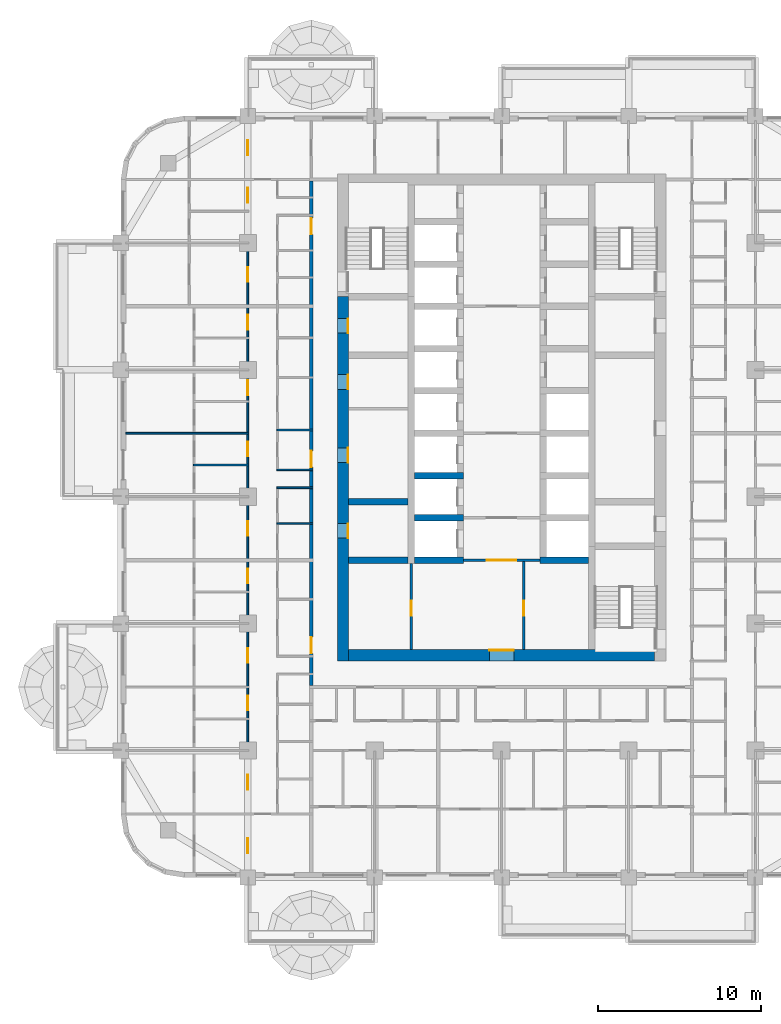
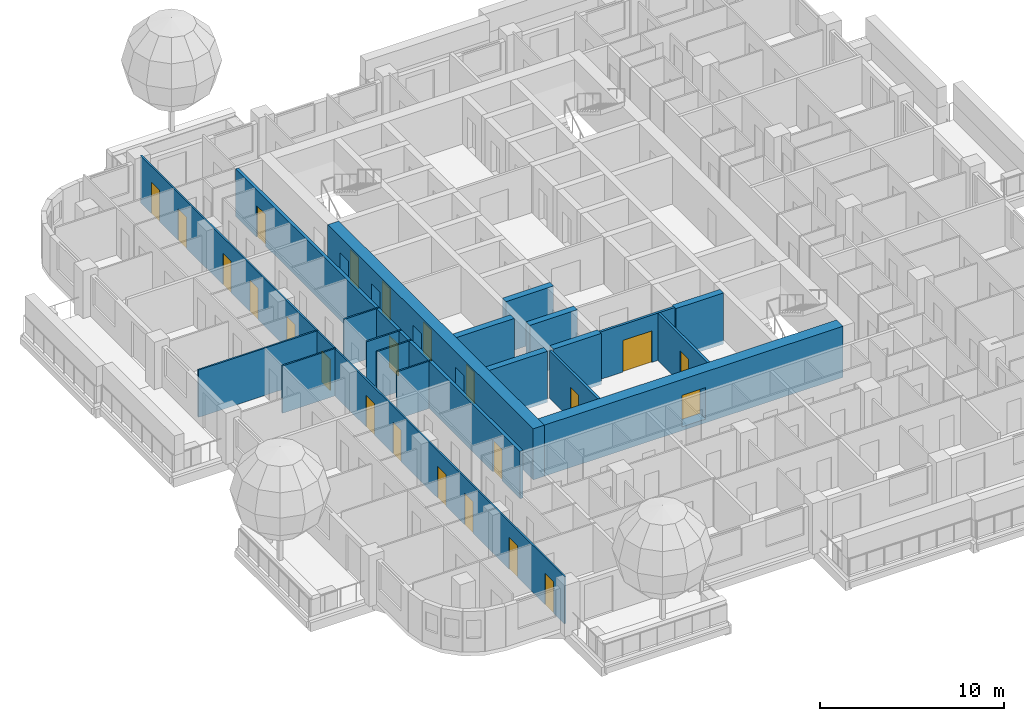
# One storey, part 6 of 19: 23 doors, 19 walls, 23 openings.
"""IFC4 building model written with IfcOpenShell, lengths in metres."""

from ifc_helpers import new_model, si_unit, direction, frame, frame_2d, origin, place, context, subcontext, project, spatial, rectangle, extrude, material, layer, layer_set, type_object, element, fill, save


model = new_model("IFC4")

# Units and contexts
model_context = context("Model", 3, precision=1e-05, world=origin(), true_north=direction((0.0, 1.0)))
body_context = subcontext(model_context, "Body", "Model", "MODEL_VIEW")
ifc_project = project(units=[si_unit("LENGTHUNIT", "METRE"), si_unit("AREAUNIT", "SQUARE_METRE"), si_unit("VOLUMEUNIT", "CUBIC_METRE"), si_unit("PLANEANGLEUNIT", "RADIAN"), si_unit("MASSUNIT", "GRAM", prefix="KILO")], contexts=[model_context])

# Site, building, storey
site_placement = place(None, origin())
site = spatial("IfcSite", under=ifc_project, at=site_placement, CompositionType="ELEMENT")
building_placement = place(site_placement, origin())
building = spatial("IfcBuilding", under=site, at=building_placement, Name="Ludao Terraces", CompositionType="ELEMENT")
storey_placement = place(building_placement, frame((0.0, 0.0, 81.800048828125)))
storey = spatial("IfcBuildingStorey", under=building, at=storey_placement, Name="L22", CompositionType="ELEMENT", Elevation=81.800048828125)

# Wall, openings, doors
ifc_material_1 = material(Name="Concrete C70", Category="concrete")
ifc_layer_1 = layer(ifc_material_1, 0.699951171875)
ifc_layer_set_1 = layer_set([ifc_layer_1], Name="Core wall 700 C70")
wall_type_1 = type_object("IfcWallType", Name="Core wall 700 C70", PredefinedType="SOLIDWALL", material=ifc_layer_set_1)
wall_1_placement = place(storey_placement, frame((75.25, 54.89990234375, -0.25), z_axis=(0.0, 0.0, 1.0), x_axis=(0.0, 1.0, 0.0)))
wall_1 = element("IfcWall", 1, at=wall_1_placement, inside=storey, type_object=wall_type_1, Name="Core wall L22 outer-W", PredefinedType="SOLIDWALL", context=body_context, shape_type="SweptSolid", body=[
    extrude(rectangle(XDim=22.400146484375, YDim=0.699951171875, at=frame_2d((11.2001953125, 0.0))), origin(), (0.0, 0.0, 1.0), 3.39990234375),
])
opening_1_placement = place(wall_1_placement, frame((7.550048828125, 0.0, 0.25)))
opening_1 = element("IfcOpeningElement", 2, at=opening_1_placement, cuts=wall_1, Name="Opening R06-076", PredefinedType="OPENING", context=body_context, shape_type="SweptSolid", body=[
    extrude(rectangle(XDim=0.89990234375, YDim=2.10009765625, at=frame_2d((0.449951171875, 1.050048828125))), frame((0.0, 0.35986328125, 0.0), z_axis=(0.0, -1.0, 0.0), x_axis=(1.0, 0.0, 0.0)), (0.0, 0.0, 1.0), 0.719970703125),
])
opening_2_placement = place(wall_1_placement, frame((12.199951171875, 0.0, 0.25)))
opening_2 = element("IfcOpeningElement", 3, at=opening_2_placement, cuts=wall_1, Name="Opening R06-091", PredefinedType="OPENING", context=body_context, shape_type="SweptSolid", body=[
    extrude(rectangle(XDim=0.89990234375, YDim=2.10009765625, at=frame_2d((0.449951171875, 1.050048828125))), frame((0.0, 0.35986328125, 0.0), z_axis=(0.0, -1.0, 0.0), x_axis=(1.0, 0.0, 0.0)), (0.0, 0.0, 1.0), 0.719970703125),
])
opening_3_placement = place(wall_1_placement, frame((16.699951171875, 0.0, 0.25)))
opening_3 = element("IfcOpeningElement", 4, at=opening_3_placement, cuts=wall_1, Name="Opening R06-109", PredefinedType="OPENING", context=body_context, shape_type="SweptSolid", body=[
    extrude(rectangle(XDim=0.89990234375, YDim=2.10009765625, at=frame_2d((0.449951171875, 1.050048828125))), frame((0.0, 0.35986328125, 0.0), z_axis=(0.0, -1.0, 0.0), x_axis=(1.0, 0.0, 0.0)), (0.0, 0.0, 1.0), 0.719970703125),
])
opening_4_placement = place(wall_1_placement, frame((20.14990234375, 0.0, 0.25)))
opening_4 = element("IfcOpeningElement", 5, at=opening_4_placement, cuts=wall_1, Name="Opening R06-121", PredefinedType="OPENING", context=body_context, shape_type="SweptSolid", body=[
    extrude(rectangle(XDim=0.89990234375, YDim=2.10009765625, at=frame_2d((0.449951171875, 1.050048828125))), frame((0.0, 0.35986328125, 0.0), z_axis=(0.0, -1.0, 0.0), x_axis=(1.0, 0.0, 0.0)), (0.0, 0.0, 1.0), 0.719970703125),
])
ifc_material_2 = material(Name="Steel Q235", Category="steel")
door_type_1 = type_object("IfcDoorType", Name="INT Riser door 900", OperationType="SINGLE_SWING_LEFT", PredefinedType="DOOR", material=ifc_material_2)
door_1_placement = place(opening_1_placement, origin())
door_1 = element("IfcDoor", 6, at=door_1_placement, inside=storey, type_object=door_type_1, Name="DOOR 076", OperationType="SINGLE_SWING_RIGHT", OverallHeight=2.10009765625, OverallWidth=0.89990234375, PredefinedType="DOOR", context=body_context, shape_type="SweptSolid", body=[
    extrude(rectangle(XDim=0.89990234375, YDim=2.10009765625, at=frame_2d((0.449951171875, 1.050048828125))), frame((0.0, -0.28515625, 0.0), z_axis=(0.0, -1.0, 0.0), x_axis=(1.0, 0.0, 0.0)), (0.0, 0.0, 1.0), 0.050048828125),
])
fill(opening_1, door_1)
door_2_placement = place(opening_4_placement, origin())
door_2 = element("IfcDoor", 7, at=door_2_placement, inside=storey, type_object=door_type_1, Name="DOOR 121", OperationType="SINGLE_SWING_RIGHT", OverallHeight=2.10009765625, OverallWidth=0.89990234375, PredefinedType="DOOR", context=body_context, shape_type="SweptSolid", body=[
    extrude(rectangle(XDim=0.89990234375, YDim=2.10009765625, at=frame_2d((0.449951171875, 1.050048828125))), frame((0.0, -0.28515625, 0.0), z_axis=(0.0, -1.0, 0.0), x_axis=(1.0, 0.0, 0.0)), (0.0, 0.0, 1.0), 0.050048828125),
])
fill(opening_4, door_2)
ifc_material_3 = material(Name="Timber door leaf", Category="wood")
door_type_2 = type_object("IfcDoorType", Name="INT Room door 900", OperationType="SINGLE_SWING_LEFT", PredefinedType="DOOR", material=ifc_material_3)
door_3_placement = place(opening_2_placement, origin())
door_3 = element("IfcDoor", 8, at=door_3_placement, inside=storey, type_object=door_type_2, Name="DOOR 091", OperationType="SINGLE_SWING_RIGHT", OverallHeight=2.10009765625, OverallWidth=0.89990234375, PredefinedType="DOOR", context=body_context, shape_type="SweptSolid", body=[
    extrude(rectangle(XDim=0.89990234375, YDim=2.10009765625, at=frame_2d((0.449951171875, 1.050048828125))), frame((0.0, -0.28515625, 0.0), z_axis=(0.0, -1.0, 0.0), x_axis=(1.0, 0.0, 0.0)), (0.0, 0.0, 1.0), 0.050048828125),
])
fill(opening_2, door_3)
door_4_placement = place(opening_3_placement, origin())
door_4 = element("IfcDoor", 9, at=door_4_placement, inside=storey, type_object=door_type_2, Name="DOOR 109", OperationType="SINGLE_SWING_LEFT", OverallHeight=2.10009765625, OverallWidth=0.89990234375, PredefinedType="DOOR", context=body_context, shape_type="SweptSolid", body=[
    extrude(rectangle(XDim=0.89990234375, YDim=2.10009765625, at=frame_2d((0.449951171875, 1.050048828125))), frame((0.0, -0.28515625, 0.0), z_axis=(0.0, -1.0, 0.0), x_axis=(1.0, 0.0, 0.0)), (0.0, 0.0, 1.0), 0.050048828125),
])
fill(opening_3, door_4)

# Wall, opening, door
wall_2_placement = place(storey_placement, frame((75.60009765625, 55.25, -0.25), z_axis=(0.0, 0.0, 1.0), x_axis=(1.0, 0.0, 0.0)))
wall_2 = element("IfcWall", 10, at=wall_2_placement, inside=storey, type_object=wall_type_1, Name="Core wall L22 outer-S", PredefinedType="SOLIDWALL", context=body_context, shape_type="SweptSolid", body=[
    extrude(rectangle(XDim=18.7998046875, YDim=0.699951171875, at=frame_2d((9.39990234375, 0.0))), origin(), (0.0, 0.0, 1.0), 3.39990234375),
])
opening_5_placement = place(wall_2_placement, frame((8.64990234375, 0.0, 0.25)))
opening_5 = element("IfcOpeningElement", 11, at=opening_5_placement, cuts=wall_2, Name="Opening R06-053", PredefinedType="OPENING", context=body_context, shape_type="SweptSolid", body=[
    extrude(rectangle(XDim=1.5, YDim=2.10009765625, at=frame_2d((0.75, 1.050048828125))), frame((0.0, 0.35986328125, 0.0), z_axis=(0.0, -1.0, 0.0), x_axis=(1.0, 0.0, 0.0)), (0.0, 0.0, 1.0), 0.719970703125),
])
door_type_3 = type_object("IfcDoorType", Name="INT Lobby door 1500", OperationType="DOUBLE_DOOR_SINGLE_SWING", PredefinedType="DOOR", material=ifc_material_2)
door_5_placement = place(opening_5_placement, origin())
door_5 = element("IfcDoor", 12, at=door_5_placement, inside=storey, type_object=door_type_3, Name="DOOR 053", OperationType="DOUBLE_DOOR_SINGLE_SWING", OverallHeight=2.10009765625, OverallWidth=1.5, PredefinedType="DOOR", context=body_context, shape_type="SweptSolid", body=[
    extrude(rectangle(XDim=1.5, YDim=2.10009765625, at=frame_2d((0.75, 1.050048828125))), frame((0.0, 0.3349609375, 0.0), z_axis=(0.0, -1.0, 0.0), x_axis=(1.0, 0.0, 0.0)), (0.0, 0.0, 1.0), 0.050048828125),
])
fill(opening_5, door_5)

ifc_material_4 = material(Name="Fire-rated gypsum plasterboard", Category="gypsum")
ifc_layer_2 = layer(ifc_material_4, 0.012451171875, Category="gypsum")
ifc_material_5 = material(Name="Mineral wool")
ifc_layer_3 = layer(ifc_material_5, 0.10009765625, Name="insulation")
ifc_layer_4 = layer(ifc_material_2, 0.02490234375, Name="stud")
ifc_layer_5 = layer(ifc_material_4, 0.012451171875, Category="gypsum")
ifc_layer_set_2 = layer_set([ifc_layer_2, ifc_layer_3, ifc_layer_4, ifc_layer_5], Name="INT Core partition 150")
wall_type_2 = type_object("IfcWallType", Name="INT Core partition 150", PredefinedType="PARTITIONING", material=ifc_layer_set_2)
wall_3_placement = place(storey_placement, frame((82.650146484375, 61.10009765625, 0.0), z_axis=(0.0, 0.0, 1.0), x_axis=(1.0, 0.0, 0.0)))
wall_3 = element("IfcWall", 13, at=wall_3_placement, inside=storey, type_object=wall_type_2, Name="PW-L22-PW034", PredefinedType="PARTITIONING", context=body_context, shape_type="SweptSolid", body=[
    extrude(rectangle(XDim=4.699951171875, YDim=0.14990234375, at=frame_2d((2.35009765625, 0.0))), origin(), (0.0, 0.0, 1.0), 3.14990234375),
])
opening_6_placement = place(wall_3_placement, frame((1.449951171875, 0.0, 0.0)))
opening_6 = element("IfcOpeningElement", 14, at=opening_6_placement, cuts=wall_3, Name="Opening R06-072", PredefinedType="OPENING", context=body_context, shape_type="SweptSolid", body=[
    extrude(rectangle(XDim=1.800048828125, YDim=2.10009765625, at=frame_2d((0.89990234375, 1.050048828125))), frame((0.0, 0.0849609375, 0.0), z_axis=(0.0, -1.0, 0.0), x_axis=(1.0, 0.0, 0.0)), (0.0, 0.0, 1.0), 0.169921875),
])
door_type_4 = type_object("IfcDoorType", Name="INT Fire lobby door 1800", OperationType="DOUBLE_DOOR_SINGLE_SWING", PredefinedType="DOOR", material=ifc_material_2)
door_6_placement = place(opening_6_placement, origin())
door_6 = element("IfcDoor", 15, at=door_6_placement, inside=storey, type_object=door_type_4, Name="DOOR 072", OperationType="DOUBLE_DOOR_SINGLE_SWING", OverallHeight=2.10009765625, OverallWidth=1.800048828125, PredefinedType="DOOR", context=body_context, shape_type="SweptSolid", body=[
    extrude(rectangle(XDim=1.800048828125, YDim=2.10009765625, at=frame_2d((0.89990234375, 1.050048828125))), frame((0.0, 0.02490234375, 0.0), z_axis=(0.0, -1.0, 0.0), x_axis=(1.0, 0.0, 0.0)), (0.0, 0.0, 1.0), 0.050048828125),
])
fill(opening_6, door_6)

wall_4_placement = place(storey_placement, frame((79.449951171875, 55.60009765625, 0.0), z_axis=(0.0, 0.0, 1.0), x_axis=(0.0, 1.0, 0.0)))
wall_4 = element("IfcWall", 16, at=wall_4_placement, inside=storey, type_object=wall_type_2, Name="PW-L22-PW097", PredefinedType="PARTITIONING", context=body_context, shape_type="SweptSolid", body=[
    extrude(rectangle(XDim=5.300048828125, YDim=0.14990234375, at=frame_2d((2.64990234375, 0.0))), origin(), (0.0, 0.0, 1.0), 3.14990234375),
])
opening_7_placement = place(wall_4_placement, frame((2.10009765625, 0.0, 0.0)))
opening_7 = element("IfcOpeningElement", 17, at=opening_7_placement, cuts=wall_4, Name="Opening R06-061", PredefinedType="OPENING", context=body_context, shape_type="SweptSolid", body=[
    extrude(rectangle(XDim=0.89990234375, YDim=2.10009765625, at=frame_2d((0.449951171875, 1.050048828125))), frame((0.0, 0.0849609375, 0.0), z_axis=(0.0, -1.0, 0.0), x_axis=(1.0, 0.0, 0.0)), (0.0, 0.0, 1.0), 0.169921875),
])
door_7_placement = place(opening_7_placement, origin())
door_7 = element("IfcDoor", 18, at=door_7_placement, inside=storey, type_object=door_type_2, Name="DOOR 061", OperationType="SINGLE_SWING_LEFT", OverallHeight=2.10009765625, OverallWidth=0.89990234375, PredefinedType="DOOR", context=body_context, shape_type="SweptSolid", body=[
    extrude(rectangle(XDim=0.89990234375, YDim=2.10009765625, at=frame_2d((0.449951171875, 1.050048828125))), frame((0.0, 0.02490234375, 0.0), z_axis=(0.0, -1.0, 0.0), x_axis=(1.0, 0.0, 0.0)), (0.0, 0.0, 1.0), 0.050048828125),
])
fill(opening_7, door_7)

wall_5_placement = place(storey_placement, frame((86.35009765625, 55.60009765625, 0.0), z_axis=(0.0, 0.0, 1.0), x_axis=(0.0, 1.0, 0.0)))
wall_5 = element("IfcWall", 19, at=wall_5_placement, inside=storey, type_object=wall_type_2, Name="PW-L22-PW104", PredefinedType="PARTITIONING", context=body_context, shape_type="SweptSolid", body=[
    extrude(rectangle(XDim=5.425048828125, YDim=0.14990234375, at=frame_2d((2.71240234375, 0.0))), origin(), (0.0, 0.0, 1.0), 3.14990234375),
])
opening_8_placement = place(wall_5_placement, frame((2.10009765625, 0.0, 0.0)))
opening_8 = element("IfcOpeningElement", 20, at=opening_8_placement, cuts=wall_5, Name="Opening R06-062", PredefinedType="OPENING", context=body_context, shape_type="SweptSolid", body=[
    extrude(rectangle(XDim=0.89990234375, YDim=2.10009765625, at=frame_2d((0.449951171875, 1.050048828125))), frame((0.0, 0.0849609375, 0.0), z_axis=(0.0, -1.0, 0.0), x_axis=(1.0, 0.0, 0.0)), (0.0, 0.0, 1.0), 0.169921875),
])
door_8_placement = place(opening_8_placement, origin())
door_8 = element("IfcDoor", 21, at=door_8_placement, inside=storey, type_object=door_type_2, Name="DOOR 062", OperationType="SINGLE_SWING_RIGHT", OverallHeight=2.10009765625, OverallWidth=0.89990234375, PredefinedType="DOOR", context=body_context, shape_type="SweptSolid", body=[
    extrude(rectangle(XDim=0.89990234375, YDim=2.10009765625, at=frame_2d((0.449951171875, 1.050048828125))), frame((0.0, 0.02490234375, 0.0), z_axis=(0.0, -1.0, 0.0), x_axis=(1.0, 0.0, 0.0)), (0.0, 0.0, 1.0), 0.050048828125),
])
fill(opening_8, door_8)

# Wall, openings, doors
ifc_material_6 = material(Name="Autoclaved aerated concrete block B06 A3.5", Category="concrete")
ifc_layer_6 = layer(ifc_material_6, 0.199951171875)
ifc_layer_set_3 = layer_set([ifc_layer_6], Name="INT Entrance wall 200")
wall_type_3 = type_object("IfcWallType", Name="INT Entrance wall 200", PredefinedType="PARTITIONING", material=ifc_layer_set_3)
wall_6_placement = place(storey_placement, frame((73.300048828125, 53.400146484375, 0.0), z_axis=(0.0, 0.0, 1.0), x_axis=(0.0, 1.0, 0.0)))
wall_6 = element("IfcWall", 22, at=wall_6_placement, inside=storey, type_object=wall_type_3, Name="PW-L22-PW089", PredefinedType="PARTITIONING", context=body_context, shape_type="SweptSolid", body=[
    extrude(rectangle(XDim=31.0, YDim=0.199951171875, at=frame_2d((15.5, 0.0))), origin(), (0.0, 0.0, 1.0), 3.14990234375),
])
opening_9_placement = place(wall_6_placement, frame((1.97509765625, 0.0, 0.0)))
opening_9 = element("IfcOpeningElement", 23, at=opening_9_placement, cuts=wall_6, Name="Opening R06-057", PredefinedType="OPENING", context=body_context, shape_type="SweptSolid", body=[
    extrude(rectangle(XDim=1.0, YDim=2.10009765625, at=frame_2d((0.5, 1.050048828125))), frame((0.0, 0.10986328125, 0.0), z_axis=(0.0, -1.0, 0.0), x_axis=(1.0, 0.0, 0.0)), (0.0, 0.0, 1.0), 0.219970703125),
])
opening_10_placement = place(wall_6_placement, frame((13.425048828125, 0.0, 0.0)))
opening_10 = element("IfcOpeningElement", 24, at=opening_10_placement, cuts=wall_6, Name="Opening R06-089", PredefinedType="OPENING", context=body_context, shape_type="SweptSolid", body=[
    extrude(rectangle(XDim=1.0, YDim=2.10009765625, at=frame_2d((0.5, 1.050048828125))), frame((0.0, 0.10986328125, 0.0), z_axis=(0.0, -1.0, 0.0), x_axis=(1.0, 0.0, 0.0)), (0.0, 0.0, 1.0), 0.219970703125),
])
opening_11_placement = place(wall_6_placement, frame((27.72509765625, 0.0, 0.0)))
opening_11 = element("IfcOpeningElement", 25, at=opening_11_placement, cuts=wall_6, Name="Opening R06-145", PredefinedType="OPENING", context=body_context, shape_type="SweptSolid", body=[
    extrude(rectangle(XDim=1.0, YDim=2.10009765625, at=frame_2d((0.5, 1.050048828125))), frame((0.0, 0.10986328125, 0.0), z_axis=(0.0, -1.0, 0.0), x_axis=(1.0, 0.0, 0.0)), (0.0, 0.0, 1.0), 0.219970703125),
])
door_type_5 = type_object("IfcDoorType", Name="INT Flat entrance door 1000", OperationType="SINGLE_SWING_LEFT", PredefinedType="DOOR", material=ifc_material_2)
door_9_placement = place(opening_9_placement, origin())
door_9 = element("IfcDoor", 26, at=door_9_placement, inside=storey, type_object=door_type_5, Name="DOOR 057", OperationType="SINGLE_SWING_RIGHT", OverallHeight=2.10009765625, OverallWidth=1.0, PredefinedType="DOOR", context=body_context, shape_type="SweptSolid", body=[
    extrude(rectangle(XDim=1.0, YDim=2.10009765625, at=frame_2d((0.5, 1.050048828125))), frame((0.0, 0.02490234375, 0.0), z_axis=(0.0, -1.0, 0.0), x_axis=(1.0, 0.0, 0.0)), (0.0, 0.0, 1.0), 0.050048828125),
])
fill(opening_9, door_9)
door_10_placement = place(opening_10_placement, origin())
door_10 = element("IfcDoor", 27, at=door_10_placement, inside=storey, type_object=door_type_5, Name="DOOR 089", OperationType="SINGLE_SWING_RIGHT", OverallHeight=2.10009765625, OverallWidth=1.0, PredefinedType="DOOR", context=body_context, shape_type="SweptSolid", body=[
    extrude(rectangle(XDim=1.0, YDim=2.10009765625, at=frame_2d((0.5, 1.050048828125))), frame((0.0, 0.02490234375, 0.0), z_axis=(0.0, -1.0, 0.0), x_axis=(1.0, 0.0, 0.0)), (0.0, 0.0, 1.0), 0.050048828125),
])
fill(opening_10, door_10)
door_11_placement = place(opening_11_placement, origin())
door_11 = element("IfcDoor", 28, at=door_11_placement, inside=storey, type_object=door_type_5, Name="DOOR 145", OperationType="SINGLE_SWING_LEFT", OverallHeight=2.10009765625, OverallWidth=1.0, PredefinedType="DOOR", context=body_context, shape_type="SweptSolid", body=[
    extrude(rectangle(XDim=1.0, YDim=2.10009765625, at=frame_2d((0.5, 1.050048828125))), frame((0.0, 0.02490234375, 0.0), z_axis=(0.0, -1.0, 0.0), x_axis=(1.0, 0.0, 0.0)), (0.0, 0.0, 1.0), 0.050048828125),
])
fill(opening_11, door_11)

# Walls
ifc_material_7 = material(Name="Gypsum plasterboard", Category="gypsum")
ifc_layer_7 = layer(ifc_material_7, 0.012451171875, Category="gypsum")
ifc_layer_8 = layer(ifc_material_5, 0.06005859375, Name="insulation")
ifc_layer_9 = layer(ifc_material_2, 0.014892578125, Name="stud")
ifc_layer_10 = layer(ifc_material_7, 0.012451171875, Category="gypsum")
ifc_layer_set_4 = layer_set([ifc_layer_7, ifc_layer_8, ifc_layer_9, ifc_layer_10], Name="INT Partition 100")
wall_type_4 = type_object("IfcWallType", Name="INT Partition 100", PredefinedType="PARTITIONING", material=ifc_layer_set_4)
for number, where, z_axis, x_axis, name in (
    (29, (71.18017578125, 63.35009765625, 0.0), (0.0, 0.0, 1.0), (1.0, 0.0, 0.0), "PW-L22-PW037"),
    (30, (71.18017578125, 65.550048828125, 0.0), (0.0, 0.0, 1.0), (1.0, 0.0, 0.0), "PW-L22-PW042"),
    (31, (71.18017578125, 66.64990234375, 0.0), (0.0, 0.0, 1.0), (1.0, 0.0, 0.0), "PW-L22-PW044"),
):
    element("IfcWall", number, at=place(storey_placement, frame(where, z_axis=z_axis, x_axis=x_axis)), inside=storey, type_object=wall_type_4, Name=name, PredefinedType="PARTITIONING", context=body_context, shape_type="SweptSolid", body=[
        extrude(rectangle(XDim=2.219970703125, YDim=0.10009765625, at=frame_2d((1.10986328125, 0.0))), origin(), (0.0, 0.0, 1.0), 3.14990234375),
    ])
wall_7_placement = place(storey_placement, frame((66.050048828125, 66.949951171875, 0.0), z_axis=(0.0, 0.0, 1.0), x_axis=(1.0, 0.0, 0.0)))
element("IfcWall", 32, at=wall_7_placement, inside=storey, type_object=wall_type_4, Name="PW-L22-PW045", PredefinedType="PARTITIONING", context=body_context, shape_type="SweptSolid", body=[
    extrude(rectangle(XDim=3.400146484375, YDim=0.10009765625, at=frame_2d((1.7001953125, 0.0))), origin(), (0.0, 0.0, 1.0), 3.14990234375),
])
wall_8_placement = place(storey_placement, frame((61.900146484375, 68.89990234375, 0.0), z_axis=(0.0, 0.0, 1.0), x_axis=(1.0, 0.0, 0.0)))
element("IfcWall", 33, at=wall_8_placement, inside=storey, type_object=wall_type_4, Name="PW-L22-PW047", PredefinedType="PARTITIONING", context=body_context, shape_type="SweptSolid", body=[
    extrude(rectangle(XDim=7.550048828125, YDim=0.10009765625, at=frame_2d((3.77490234375, 0.0))), origin(), (0.0, 0.0, 1.0), 3.14990234375),
])
wall_9_placement = place(storey_placement, frame((71.18017578125, 69.10009765625, 0.0), z_axis=(0.0, 0.0, 1.0), x_axis=(1.0, 0.0, 0.0)))
element("IfcWall", 34, at=wall_9_placement, inside=storey, type_object=wall_type_4, Name="PW-L22-PW050", PredefinedType="PARTITIONING", context=body_context, shape_type="SweptSolid", body=[
    extrude(rectangle(XDim=2.219970703125, YDim=0.10009765625, at=frame_2d((1.10986328125, 0.0))), origin(), (0.0, 0.0, 1.0), 3.14990234375),
])

# Wall, openings, doors
wall_10_placement = place(storey_placement, frame((69.39990234375, 41.900146484375, 0.0), z_axis=(0.0, 0.0, 1.0), x_axis=(0.0, 1.0, 0.0)))
wall_10 = element("IfcWall", 35, at=wall_10_placement, inside=storey, type_object=wall_type_4, Name="PW-L22-PW083", PredefinedType="PARTITIONING", context=body_context, shape_type="SweptSolid", body=[
    extrude(rectangle(XDim=46.199951171875, YDim=0.10009765625, at=frame_2d((23.10009765625, 0.0))), origin(), (0.0, 0.0, 1.0), 3.14990234375),
])
opening_12_placement = place(wall_10_placement, frame((1.199951171875, 0.0, 0.0)))
opening_12 = element("IfcOpeningElement", 36, at=opening_12_placement, cuts=wall_10, Name="Opening R06-002", PredefinedType="OPENING", context=body_context, shape_type="SweptSolid", body=[
    extrude(rectangle(XDim=0.89990234375, YDim=2.10009765625, at=frame_2d((0.449951171875, 1.050048828125))), frame((0.0, 0.06005859375, 0.0), z_axis=(0.0, -1.0, 0.0), x_axis=(1.0, 0.0, 0.0)), (0.0, 0.0, 1.0), 0.1201171875),
])
opening_13_placement = place(wall_10_placement, frame((5.10009765625, 0.0, 0.0)))
opening_13 = element("IfcOpeningElement", 37, at=opening_13_placement, cuts=wall_10, Name="Opening R06-020", PredefinedType="OPENING", context=body_context, shape_type="SweptSolid", body=[
    extrude(rectangle(XDim=0.89990234375, YDim=2.10009765625, at=frame_2d((0.449951171875, 1.050048828125))), frame((0.0, 0.06005859375, 0.0), z_axis=(0.0, -1.0, 0.0), x_axis=(1.0, 0.0, 0.0)), (0.0, 0.0, 1.0), 0.1201171875),
])
opening_14_placement = place(wall_10_placement, frame((9.97509765625, 0.0, 0.0)))
opening_14 = element("IfcOpeningElement", 38, at=opening_14_placement, cuts=wall_10, Name="Opening R06-045", PredefinedType="OPENING", context=body_context, shape_type="SweptSolid", body=[
    extrude(rectangle(XDim=0.89990234375, YDim=2.10009765625, at=frame_2d((0.449951171875, 1.050048828125))), frame((0.0, 0.06005859375, 0.0), z_axis=(0.0, -1.0, 0.0), x_axis=(1.0, 0.0, 0.0)), (0.0, 0.0, 1.0), 0.1201171875),
])
opening_15_placement = place(wall_10_placement, frame((12.89990234375, 0.0, 0.0)))
opening_15 = element("IfcOpeningElement", 39, at=opening_15_placement, cuts=wall_10, Name="Opening R06-052", PredefinedType="OPENING", context=body_context, shape_type="SweptSolid", body=[
    extrude(rectangle(XDim=0.89990234375, YDim=2.10009765625, at=frame_2d((0.449951171875, 1.050048828125))), frame((0.0, 0.06005859375, 0.0), z_axis=(0.0, -1.0, 0.0), x_axis=(1.0, 0.0, 0.0)), (0.0, 0.0, 1.0), 0.1201171875),
])
opening_16_placement = place(wall_10_placement, frame((17.77490234375, 0.0, 0.0)))
opening_16 = element("IfcOpeningElement", 40, at=opening_16_placement, cuts=wall_10, Name="Opening R06-068", PredefinedType="OPENING", context=body_context, shape_type="SweptSolid", body=[
    extrude(rectangle(XDim=0.89990234375, YDim=2.10009765625, at=frame_2d((0.449951171875, 1.050048828125))), frame((0.0, 0.06005859375, 0.0), z_axis=(0.0, -1.0, 0.0), x_axis=(1.0, 0.0, 0.0)), (0.0, 0.0, 1.0), 0.1201171875),
])
opening_17_placement = place(wall_10_placement, frame((20.699951171875, 0.0, 0.0)))
opening_17 = element("IfcOpeningElement", 41, at=opening_17_placement, cuts=wall_10, Name="Opening R06-078", PredefinedType="OPENING", context=body_context, shape_type="SweptSolid", body=[
    extrude(rectangle(XDim=0.89990234375, YDim=2.10009765625, at=frame_2d((0.449951171875, 1.050048828125))), frame((0.0, 0.06005859375, 0.0), z_axis=(0.0, -1.0, 0.0), x_axis=(1.0, 0.0, 0.0)), (0.0, 0.0, 1.0), 0.1201171875),
])
opening_18_placement = place(wall_10_placement, frame((25.574951171875, 0.0, 0.0)))
opening_18 = element("IfcOpeningElement", 42, at=opening_18_placement, cuts=wall_10, Name="Opening R06-095", PredefinedType="OPENING", context=body_context, shape_type="SweptSolid", body=[
    extrude(rectangle(XDim=0.89990234375, YDim=2.10009765625, at=frame_2d((0.449951171875, 1.050048828125))), frame((0.0, 0.06005859375, 0.0), z_axis=(0.0, -1.0, 0.0), x_axis=(1.0, 0.0, 0.0)), (0.0, 0.0, 1.0), 0.1201171875),
])
opening_19_placement = place(wall_10_placement, frame((29.35009765625, 0.0, 0.0)))
opening_19 = element("IfcOpeningElement", 43, at=opening_19_placement, cuts=wall_10, Name="Opening R06-105", PredefinedType="OPENING", context=body_context, shape_type="SweptSolid", body=[
    extrude(rectangle(XDim=0.89990234375, YDim=2.10009765625, at=frame_2d((0.449951171875, 1.050048828125))), frame((0.0, 0.06005859375, 0.0), z_axis=(0.0, -1.0, 0.0), x_axis=(1.0, 0.0, 0.0)), (0.0, 0.0, 1.0), 0.1201171875),
])
opening_20_placement = place(wall_10_placement, frame((33.375, 0.0, 0.0)))
opening_20 = element("IfcOpeningElement", 44, at=opening_20_placement, cuts=wall_10, Name="Opening R06-124", PredefinedType="OPENING", context=body_context, shape_type="SweptSolid", body=[
    extrude(rectangle(XDim=0.89990234375, YDim=2.10009765625, at=frame_2d((0.449951171875, 1.050048828125))), frame((0.0, 0.06005859375, 0.0), z_axis=(0.0, -1.0, 0.0), x_axis=(1.0, 0.0, 0.0)), (0.0, 0.0, 1.0), 0.1201171875),
])
opening_21_placement = place(wall_10_placement, frame((36.300048828125, 0.0, 0.0)))
opening_21 = element("IfcOpeningElement", 45, at=opening_21_placement, cuts=wall_10, Name="Opening R06-134", PredefinedType="OPENING", context=body_context, shape_type="SweptSolid", body=[
    extrude(rectangle(XDim=0.89990234375, YDim=2.10009765625, at=frame_2d((0.449951171875, 1.050048828125))), frame((0.0, 0.06005859375, 0.0), z_axis=(0.0, -1.0, 0.0), x_axis=(1.0, 0.0, 0.0)), (0.0, 0.0, 1.0), 0.1201171875),
])
opening_22_placement = place(wall_10_placement, frame((41.175048828125, 0.0, 0.0)))
opening_22 = element("IfcOpeningElement", 46, at=opening_22_placement, cuts=wall_10, Name="Opening R06-149", PredefinedType="OPENING", context=body_context, shape_type="SweptSolid", body=[
    extrude(rectangle(XDim=0.89990234375, YDim=2.10009765625, at=frame_2d((0.449951171875, 1.050048828125))), frame((0.0, 0.06005859375, 0.0), z_axis=(0.0, -1.0, 0.0), x_axis=(1.0, 0.0, 0.0)), (0.0, 0.0, 1.0), 0.1201171875),
])
opening_23_placement = place(wall_10_placement, frame((44.10009765625, 0.0, 0.0)))
opening_23 = element("IfcOpeningElement", 47, at=opening_23_placement, cuts=wall_10, Name="Opening R06-158", PredefinedType="OPENING", context=body_context, shape_type="SweptSolid", body=[
    extrude(rectangle(XDim=0.89990234375, YDim=2.10009765625, at=frame_2d((0.449951171875, 1.050048828125))), frame((0.0, 0.06005859375, 0.0), z_axis=(0.0, -1.0, 0.0), x_axis=(1.0, 0.0, 0.0)), (0.0, 0.0, 1.0), 0.1201171875),
])
door_12_placement = place(opening_12_placement, origin())
door_12 = element("IfcDoor", 48, at=door_12_placement, inside=storey, type_object=door_type_2, Name="DOOR 002", OperationType="SINGLE_SWING_LEFT", OverallHeight=2.10009765625, OverallWidth=0.89990234375, PredefinedType="DOOR", context=body_context, shape_type="SweptSolid", body=[
    extrude(rectangle(XDim=0.89990234375, YDim=2.10009765625, at=frame_2d((0.449951171875, 1.050048828125))), frame((0.0, 0.02490234375, 0.0), z_axis=(0.0, -1.0, 0.0), x_axis=(1.0, 0.0, 0.0)), (0.0, 0.0, 1.0), 0.050048828125),
])
fill(opening_12, door_12)
door_13_placement = place(opening_13_placement, origin())
door_13 = element("IfcDoor", 49, at=door_13_placement, inside=storey, type_object=door_type_2, Name="DOOR 020", OperationType="SINGLE_SWING_LEFT", OverallHeight=2.10009765625, OverallWidth=0.89990234375, PredefinedType="DOOR", context=body_context, shape_type="SweptSolid", body=[
    extrude(rectangle(XDim=0.89990234375, YDim=2.10009765625, at=frame_2d((0.449951171875, 1.050048828125))), frame((0.0, 0.02490234375, 0.0), z_axis=(0.0, -1.0, 0.0), x_axis=(1.0, 0.0, 0.0)), (0.0, 0.0, 1.0), 0.050048828125),
])
fill(opening_13, door_13)
door_14_placement = place(opening_14_placement, origin())
door_14 = element("IfcDoor", 50, at=door_14_placement, inside=storey, type_object=door_type_2, Name="DOOR 045", OperationType="SINGLE_SWING_RIGHT", OverallHeight=2.10009765625, OverallWidth=0.89990234375, PredefinedType="DOOR", context=body_context, shape_type="SweptSolid", body=[
    extrude(rectangle(XDim=0.89990234375, YDim=2.10009765625, at=frame_2d((0.449951171875, 1.050048828125))), frame((0.0, 0.02490234375, 0.0), z_axis=(0.0, -1.0, 0.0), x_axis=(1.0, 0.0, 0.0)), (0.0, 0.0, 1.0), 0.050048828125),
])
fill(opening_14, door_14)
door_15_placement = place(opening_15_placement, origin())
door_15 = element("IfcDoor", 51, at=door_15_placement, inside=storey, type_object=door_type_2, Name="DOOR 052", OperationType="SINGLE_SWING_LEFT", OverallHeight=2.10009765625, OverallWidth=0.89990234375, PredefinedType="DOOR", context=body_context, shape_type="SweptSolid", body=[
    extrude(rectangle(XDim=0.89990234375, YDim=2.10009765625, at=frame_2d((0.449951171875, 1.050048828125))), frame((0.0, 0.02490234375, 0.0), z_axis=(0.0, -1.0, 0.0), x_axis=(1.0, 0.0, 0.0)), (0.0, 0.0, 1.0), 0.050048828125),
])
fill(opening_15, door_15)
door_16_placement = place(opening_16_placement, origin())
door_16 = element("IfcDoor", 52, at=door_16_placement, inside=storey, type_object=door_type_2, Name="DOOR 068", OperationType="SINGLE_SWING_LEFT", OverallHeight=2.10009765625, OverallWidth=0.89990234375, PredefinedType="DOOR", context=body_context, shape_type="SweptSolid", body=[
    extrude(rectangle(XDim=0.89990234375, YDim=2.10009765625, at=frame_2d((0.449951171875, 1.050048828125))), frame((0.0, 0.02490234375, 0.0), z_axis=(0.0, -1.0, 0.0), x_axis=(1.0, 0.0, 0.0)), (0.0, 0.0, 1.0), 0.050048828125),
])
fill(opening_16, door_16)
door_17_placement = place(opening_17_placement, origin())
door_17 = element("IfcDoor", 53, at=door_17_placement, inside=storey, type_object=door_type_2, Name="DOOR 078", OperationType="SINGLE_SWING_LEFT", OverallHeight=2.10009765625, OverallWidth=0.89990234375, PredefinedType="DOOR", context=body_context, shape_type="SweptSolid", body=[
    extrude(rectangle(XDim=0.89990234375, YDim=2.10009765625, at=frame_2d((0.449951171875, 1.050048828125))), frame((0.0, 0.02490234375, 0.0), z_axis=(0.0, -1.0, 0.0), x_axis=(1.0, 0.0, 0.0)), (0.0, 0.0, 1.0), 0.050048828125),
])
fill(opening_17, door_17)
door_18_placement = place(opening_18_placement, origin())
door_18 = element("IfcDoor", 54, at=door_18_placement, inside=storey, type_object=door_type_2, Name="DOOR 095", OperationType="SINGLE_SWING_RIGHT", OverallHeight=2.10009765625, OverallWidth=0.89990234375, PredefinedType="DOOR", context=body_context, shape_type="SweptSolid", body=[
    extrude(rectangle(XDim=0.89990234375, YDim=2.10009765625, at=frame_2d((0.449951171875, 1.050048828125))), frame((0.0, 0.02490234375, 0.0), z_axis=(0.0, -1.0, 0.0), x_axis=(1.0, 0.0, 0.0)), (0.0, 0.0, 1.0), 0.050048828125),
])
fill(opening_18, door_18)
door_19_placement = place(opening_19_placement, origin())
door_19 = element("IfcDoor", 55, at=door_19_placement, inside=storey, type_object=door_type_2, Name="DOOR 105", OperationType="SINGLE_SWING_LEFT", OverallHeight=2.10009765625, OverallWidth=0.89990234375, PredefinedType="DOOR", context=body_context, shape_type="SweptSolid", body=[
    extrude(rectangle(XDim=0.89990234375, YDim=2.10009765625, at=frame_2d((0.449951171875, 1.050048828125))), frame((0.0, 0.02490234375, 0.0), z_axis=(0.0, -1.0, 0.0), x_axis=(1.0, 0.0, 0.0)), (0.0, 0.0, 1.0), 0.050048828125),
])
fill(opening_19, door_19)
door_20_placement = place(opening_20_placement, origin())
door_20 = element("IfcDoor", 56, at=door_20_placement, inside=storey, type_object=door_type_2, Name="DOOR 124", OperationType="SINGLE_SWING_RIGHT", OverallHeight=2.10009765625, OverallWidth=0.89990234375, PredefinedType="DOOR", context=body_context, shape_type="SweptSolid", body=[
    extrude(rectangle(XDim=0.89990234375, YDim=2.10009765625, at=frame_2d((0.449951171875, 1.050048828125))), frame((0.0, 0.02490234375, 0.0), z_axis=(0.0, -1.0, 0.0), x_axis=(1.0, 0.0, 0.0)), (0.0, 0.0, 1.0), 0.050048828125),
])
fill(opening_20, door_20)
door_21_placement = place(opening_21_placement, origin())
door_21 = element("IfcDoor", 57, at=door_21_placement, inside=storey, type_object=door_type_2, Name="DOOR 134", OperationType="SINGLE_SWING_RIGHT", OverallHeight=2.10009765625, OverallWidth=0.89990234375, PredefinedType="DOOR", context=body_context, shape_type="SweptSolid", body=[
    extrude(rectangle(XDim=0.89990234375, YDim=2.10009765625, at=frame_2d((0.449951171875, 1.050048828125))), frame((0.0, 0.02490234375, 0.0), z_axis=(0.0, -1.0, 0.0), x_axis=(1.0, 0.0, 0.0)), (0.0, 0.0, 1.0), 0.050048828125),
])
fill(opening_21, door_21)
door_22_placement = place(opening_22_placement, origin())
door_22 = element("IfcDoor", 58, at=door_22_placement, inside=storey, type_object=door_type_2, Name="DOOR 149", OperationType="SINGLE_SWING_LEFT", OverallHeight=2.10009765625, OverallWidth=0.89990234375, PredefinedType="DOOR", context=body_context, shape_type="SweptSolid", body=[
    extrude(rectangle(XDim=0.89990234375, YDim=2.10009765625, at=frame_2d((0.449951171875, 1.050048828125))), frame((0.0, 0.02490234375, 0.0), z_axis=(0.0, -1.0, 0.0), x_axis=(1.0, 0.0, 0.0)), (0.0, 0.0, 1.0), 0.050048828125),
])
fill(opening_22, door_22)
door_23_placement = place(opening_23_placement, origin())
door_23 = element("IfcDoor", 59, at=door_23_placement, inside=storey, type_object=door_type_2, Name="DOOR 158", OperationType="SINGLE_SWING_RIGHT", OverallHeight=2.10009765625, OverallWidth=0.89990234375, PredefinedType="DOOR", context=body_context, shape_type="SweptSolid", body=[
    extrude(rectangle(XDim=0.89990234375, YDim=2.10009765625, at=frame_2d((0.449951171875, 1.050048828125))), frame((0.0, 0.02490234375, 0.0), z_axis=(0.0, -1.0, 0.0), x_axis=(1.0, 0.0, 0.0)), (0.0, 0.0, 1.0), 0.050048828125),
])
fill(opening_23, door_23)

# Walls
ifc_material_8 = material(Name="Concrete C60", Category="concrete")
ifc_layer_11 = layer(ifc_material_8, 0.39990234375)
ifc_layer_set_5 = layer_set([ifc_layer_11], Name="Shaft wall 400 C60")
wall_type_5 = type_object("IfcWallType", Name="Shaft wall 400 C60", PredefinedType="SOLIDWALL", material=ifc_layer_set_5)
for number, where, z_axis, x_axis, name in (
    (60, (79.64990234375, 61.10009765625, -0.25), (0.0, 0.0, 1.0), (1.0, 0.0, 0.0), "Core wall L22 div-W1"),
    (61, (79.64990234375, 63.699951171875, -0.25), (0.0, 0.0, 1.0), (1.0, 0.0, 0.0), "Core wall L22 div-W2"),
    (62, (79.64990234375, 66.300048828125, -0.25), (0.0, 0.0, 1.0), (1.0, 0.0, 0.0), "Core wall L22 div-W3"),
    (63, (87.35009765625, 61.10009765625, -0.25), (0.0, 0.0, 1.0), (1.0, 0.0, 0.0), "Core wall L22 div-E1"),
):
    element("IfcWall", number, at=place(storey_placement, frame(where, z_axis=z_axis, x_axis=x_axis)), inside=storey, type_object=wall_type_5, Name=name, PredefinedType="SOLIDWALL", context=body_context, shape_type="SweptSolid", body=[
        extrude(rectangle(XDim=3.0, YDim=0.39990234375, at=frame_2d((1.5, 0.0))), origin(), (0.0, 0.0, 1.0), 3.39990234375),
    ])
for number, where, z_axis, x_axis, name in (
    (64, (75.60009765625, 61.10009765625, -0.25), (0.0, 0.0, 1.0), (1.0, 0.0, 0.0), "Core wall L22 hall-W"),
    (65, (75.60009765625, 64.699951171875, -0.25), (0.0, 0.0, 1.0), (1.0, 0.0, 0.0), "Core wall L22 riser-a-W"),
):
    element("IfcWall", number, at=place(storey_placement, frame(where, z_axis=z_axis, x_axis=x_axis)), inside=storey, type_object=wall_type_5, Name=name, PredefinedType="SOLIDWALL", context=body_context, shape_type="SweptSolid", body=[
        extrude(rectangle(XDim=3.64990234375, YDim=0.39990234375, at=frame_2d((1.824951171875, 0.0))), origin(), (0.0, 0.0, 1.0), 3.39990234375),
    ])

save(model, "model.ifc")
